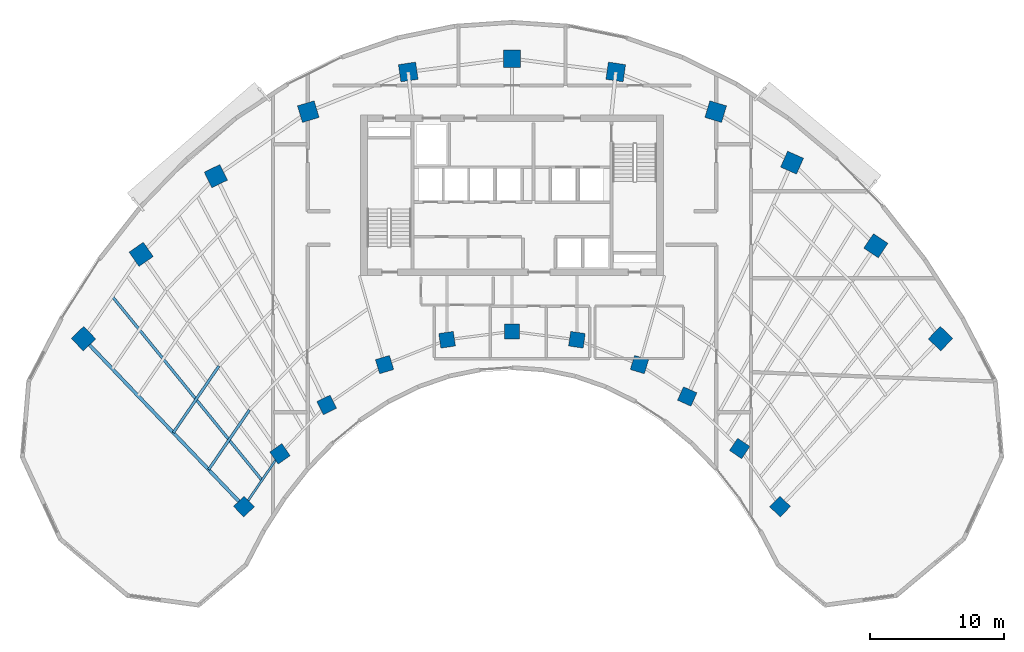
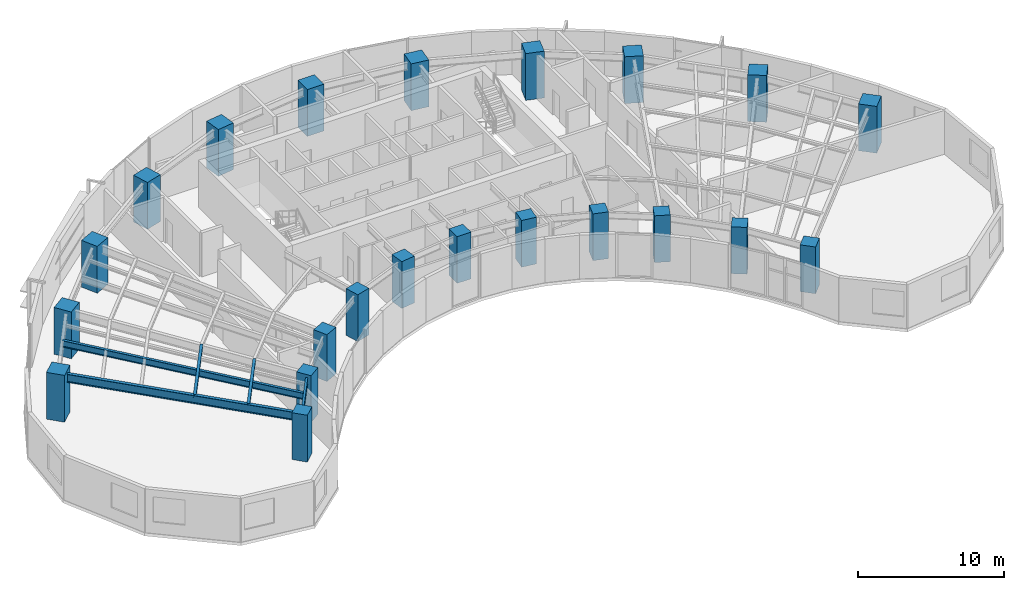
# One storey, part 1 of 14: 22 columns, 5 beams.
"""IFC4 building model written with IfcOpenShell, lengths in metres."""

from ifc_helpers import new_model, si_unit, direction, frame, origin, origin_2d, place, context, subcontext, project, spatial, rectangle, i_section, extrude, source, transform, mapped, material, material_profile, profile_set, type_object, type_shapes, element, save


model = new_model("IFC4")

# Units and contexts
model_context = context("Model", 3, precision=1e-05, world=origin(), true_north=direction((0.0, 1.0)))
body_context = subcontext(model_context, "Body", "Model", "MODEL_VIEW")
ifc_project = project(units=[si_unit("LENGTHUNIT", "METRE"), si_unit("AREAUNIT", "SQUARE_METRE"), si_unit("VOLUMEUNIT", "CUBIC_METRE"), si_unit("PLANEANGLEUNIT", "RADIAN"), si_unit("MASSUNIT", "GRAM", prefix="KILO")], contexts=[model_context])

# Site, building, storey
site_placement = place(None, origin())
site = spatial("IfcSite", under=ifc_project, at=site_placement, CompositionType="ELEMENT")
building_placement = place(site_placement, origin())
building = spatial("IfcBuilding", under=site, at=building_placement, Name="Breltana Convention Tower", CompositionType="ELEMENT")
storey_placement = place(building_placement, frame((0.0, 0.0, 123.300048828125)))
storey = spatial("IfcBuildingStorey", under=building, at=storey_placement, Name="L29", CompositionType="ELEMENT", Elevation=123.300048828125)

# Columns
ifc_material_1 = material(Name="Concrete C60/75", Category="concrete")
ifc_material_profile_1 = material_profile(ifc_material_1, rectangle(XDim=1.10009765625, YDim=1.10009765625, at=origin_2d()), Name="RC-COL-1100X1100")
ifc_profile_set_1 = profile_set([ifc_material_profile_1], Name="Concrete C60/75")
column_type_1 = type_object("IfcColumnType", Name="COL-RC-1100", PredefinedType="COLUMN", material=ifc_profile_set_1)
shared_shape_1 = source(origin(), body_context, "Body", "SweptSolid", [
    extrude(rectangle(XDim=1.10009765625, YDim=1.10009765625, at=origin_2d()), origin(), (0.0, 0.0, 1.0), 3.89990234375),
])
for number, where, z_axis, x_axis, name in (
    (1, (27.984619140625, 42.95458984375, 0.0), (0.0, 0.0, 1.0), (-0.690756218984, 0.723087716626, 0.0), "L29 Tower Column R01-IN"),
    (2, (30.67724609375, 46.892333984375, 0.0), (0.0, 0.0, 1.0), (-0.571143442153, 0.820850271661, 0.0), "L29 Tower Column R02-IN"),
    (3, (34.166259765625, 50.544921875, 0.0), (0.0, 0.0, 1.0), (-0.436173672171, 0.899862504889, 0.0), "L29 Tower Column R03-IN"),
    (4, (38.485107421875, 53.5576171875, 0.0), (0.0, 0.0, 1.0), (-0.288697611798, 0.957420330337, 0.0), "L29 Tower Column R04-IN"),
    (5, (43.153564453125, 55.41064453125, 0.0), (0.0, 0.0, 1.0), (-0.143492621991, 0.98965138682, 0.0), "L29 Tower Column R05-IN"),
    (6, (48.0, 56.035888671875, 0.0), (0.0, 0.0, 1.0), (0.0, 1.0, 0.0), "L29 Tower Column R06-IN"),
    (7, (52.846435546875, 55.41064453125, 0.0), (0.0, 0.0, 1.0), (0.143492621991, 0.98965138682, 0.0), "L29 Tower Column R07-IN"),
    (8, (57.514892578125, 53.5576171875, 0.0), (0.0, 0.0, 1.0), (0.288697611798, 0.957420330337, 0.0), "L29 Tower Column R08-IN"),
    (9, (61.08203125, 51.174560546875, 0.0), (0.0, 0.0, 1.0), (0.409126902895, 0.912477494148, 0.0), "L29 Tower Column R09-IN"),
    (10, (64.995849609375, 47.293701171875, 0.0), (0.0, 0.0, 1.0), (0.55774510898, 0.830012285095, 0.0), "L29 Tower Column R10-IN"),
    (11, (68.015380859375, 42.95458984375, 0.0), (0.0, 0.0, 1.0), (0.690756218984, 0.723087716626, 0.0), "L29 Tower Column R11-IN"),
):
    element("IfcColumn", number, at=place(storey_placement, frame(where, z_axis=z_axis, x_axis=x_axis)), inside=storey, type_object=column_type_1, Name=name, PredefinedType="COLUMN", context=body_context, shape_type="MappedRepresentation", body=[
        mapped(shared_shape_1, transform((0.0, 0.0, 0.0), scale=1.0)),
    ])
ifc_material_profile_2 = material_profile(ifc_material_1, rectangle(XDim=1.300048828125, YDim=1.300048828125, at=origin_2d()), Name="RC-COL-1300X1300")
ifc_profile_set_2 = profile_set([ifc_material_profile_2], Name="Concrete C60/75")
column_type_2 = type_object("IfcColumnType", Name="COL-RC-1300", PredefinedType="COLUMN", material=ifc_profile_set_2)
shared_shape_2 = source(origin(), body_context, "Body", "SweptSolid", [
    extrude(rectangle(XDim=1.300048828125, YDim=1.300048828125, at=origin_2d()), origin(), (0.0, 0.0, 1.0), 3.89990234375),
])
for number, where, z_axis, x_axis, name in (
    (12, (16.0068359375, 55.494384765625, 0.0), (0.0, 0.0, 1.0), (-0.690756218984, 0.723087716626, 0.0), "L29 Tower Column R01-OUT"),
    (13, (20.310791015625, 61.78857421875, 0.0), (0.0, 0.0, 1.0), (-0.571143442153, 0.820850271661, 0.0), "L29 Tower Column R02-OUT"),
    (14, (25.8876953125, 67.626953125, 0.0), (0.0, 0.0, 1.0), (-0.436173672171, 0.899862504889, 0.0), "L29 Tower Column R03-OUT"),
    (15, (32.791015625, 72.4423828125, 0.0), (0.0, 0.0, 1.0), (-0.288697611798, 0.957420330337, 0.0), "L29 Tower Column R04-OUT"),
    (16, (40.253173828125, 75.404296875, 0.0), (0.0, 0.0, 1.0), (-0.143492621991, 0.98965138682, 0.0), "L29 Tower Column R05-OUT"),
    (17, (48.0, 76.404052734375, 0.0), (0.0, 0.0, 1.0), (0.0, 1.0, 0.0), "L29 Tower Column R06-OUT"),
    (18, (55.746826171875, 75.404296875, 0.0), (0.0, 0.0, 1.0), (0.143492621991, 0.98965138682, 0.0), "L29 Tower Column R07-OUT"),
    (19, (63.208984375, 72.4423828125, 0.0), (0.0, 0.0, 1.0), (0.288697611798, 0.957420330337, 0.0), "L29 Tower Column R08-OUT"),
    (20, (68.910400390625, 68.63330078125, 0.0), (0.0, 0.0, 1.0), (0.409126902895, 0.912477494148, 0.0), "L29 Tower Column R09-OUT"),
    (21, (75.166748046875, 62.43017578125, 0.0), (0.0, 0.0, 1.0), (0.55774510898, 0.830012285095, 0.0), "L29 Tower Column R10-OUT"),
    (22, (79.9931640625, 55.494384765625, 0.0), (0.0, 0.0, 1.0), (0.690756218984, 0.723087716626, 0.0), "L29 Tower Column R11-OUT"),
):
    element("IfcColumn", number, at=place(storey_placement, frame(where, z_axis=z_axis, x_axis=x_axis)), inside=storey, type_object=column_type_2, Name=name, PredefinedType="COLUMN", context=body_context, shape_type="MappedRepresentation", body=[
        mapped(shared_shape_2, transform((0.0, 0.0, 0.0), scale=1.0)),
    ])

# Beams
ifc_material_2 = material(Name="Steel ASTM A992 Grade 50", Category="steel")
ifc_material_profile_3 = material_profile(ifc_material_2, i_section(OverallWidth=0.25390625, OverallDepth=0.68798828125, WebThickness=0.01318359375, FlangeThickness=0.02099609375, at=origin_2d()), Name="W27X102")
ifc_profile_set_3 = profile_set([ifc_material_profile_3], Name="Steel ASTM A992 Grade 50")
beam_type_1 = type_object("IfcBeamType", Name="BM-RG-W27X102", PredefinedType="USERDEFINED", material=ifc_profile_set_3)
shared_shape_3 = source(origin(), body_context, "Body", "SweptSolid", [
    extrude(i_section(OverallWidth=0.25390625, OverallDepth=0.68798828125, WebThickness=0.01318359375, FlangeThickness=0.02099609375, at=origin_2d()), origin(), (0.0, 0.0, 1.0), 17.341064453125),
])
type_shapes(beam_type_1, [shared_shape_3])
beam_1_placement = place(storey_placement, frame((27.984619140625, 42.95458984375, 3.305908203125), z_axis=(-0.690716462293, 0.723125693581, 0.0), x_axis=(-0.723125693581, -0.690716462293, 0.0)))
element("IfcBeam", 23, at=beam_1_placement, inside=storey, type_object=beam_type_1, Name="L29 Radial Floor Girder R01", ObjectType="GIRDER", PredefinedType="USERDEFINED", context=body_context, shape_type="MappedRepresentation", body=[
    mapped(shared_shape_3, transform((0.0, 0.0, 0.0), scale=1.0)),
])
ifc_material_profile_4 = material_profile(ifc_material_2, i_section(OverallWidth=0.166015625, OverallDepth=0.534912109375, WebThickness=0.01025390625, FlangeThickness=0.0166015625, at=origin_2d()), Name="W21X57")
ifc_profile_set_4 = profile_set([ifc_material_profile_4], Name="Steel ASTM A992 Grade 50")
beam_type_2 = type_object("IfcBeamType", Name="BM-BM-W21X57", PredefinedType="BEAM", material=ifc_profile_set_4)
shared_shape_4 = source(origin(), body_context, "Body", "SweptSolid", [
    extrude(i_section(OverallWidth=0.166015625, OverallDepth=0.534912109375, WebThickness=0.01025390625, FlangeThickness=0.0166015625, at=origin_2d()), origin(), (0.0, 0.0, 1.0), 4.770263671875),
])
beam_2_placement = place(storey_placement, frame((27.984619140625, 42.95458984375, 3.382568359375), z_axis=(0.564452719055, 0.82546540082, 0.0), x_axis=(-0.82546540082, 0.564452719055, 0.0)))
element("IfcBeam", 24, at=beam_2_placement, inside=storey, type_object=beam_type_2, Name="L29 Inner Ring Beam 01", PredefinedType="BEAM", context=body_context, shape_type="MappedRepresentation", body=[
    mapped(shared_shape_4, transform((0.0, 0.0, 0.0), scale=1.0)),
])
ifc_material_profile_5 = material_profile(ifc_material_2, i_section(OverallWidth=0.201904296875, OverallDepth=0.2470703125, WebThickness=0.00732421875, FlangeThickness=0.010986328125, at=origin_2d()), Name="W10X33")
ifc_profile_set_5 = profile_set([ifc_material_profile_5], Name="Steel ASTM A992 Grade 50")
beam_type_3 = type_object("IfcBeamType", Name="BM-JSG-11", PredefinedType="JOIST", material=ifc_profile_set_5)
shared_shape_5 = source(origin(), body_context, "Body", "SweptSolid", [
    extrude(i_section(OverallWidth=0.201904296875, OverallDepth=0.2470703125, WebThickness=0.00732421875, FlangeThickness=0.010986328125, at=origin_2d()), origin(), (0.0, 0.0, 1.0), 5.3984375),
])
beam_3_placement = place(storey_placement, frame((25.349365234375, 45.71337890625, 3.5263671875), z_axis=(0.564440705434, 0.825473615599, 0.0), x_axis=(-0.825473615599, 0.564440705434, 0.0)))
element("IfcBeam", 25, at=beam_3_placement, inside=storey, type_object=beam_type_3, Name="L29 Composite Floor Joist 01.1", PredefinedType="JOIST", context=body_context, shape_type="MappedRepresentation", body=[
    mapped(shared_shape_5, transform((0.0, 0.0, 0.0), scale=1.0)),
])
shared_shape_6 = source(origin(), body_context, "Body", "SweptSolid", [
    extrude(i_section(OverallWidth=0.201904296875, OverallDepth=0.2470703125, WebThickness=0.00732421875, FlangeThickness=0.010986328125, at=origin_2d()), origin(), (0.0, 0.0, 1.0), 6.0263671875),
])
beam_4_placement = place(storey_placement, frame((22.71435546875, 48.47216796875, 3.5263671875), z_axis=(0.564450071397, 0.825467211281, 0.0), x_axis=(-0.825467211281, 0.564450071397, 0.0)))
element("IfcBeam", 26, at=beam_4_placement, inside=storey, type_object=beam_type_3, Name="L29 Composite Floor Joist 01.2", PredefinedType="JOIST", context=body_context, shape_type="MappedRepresentation", body=[
    mapped(shared_shape_6, transform((0.0, 0.0, 0.0), scale=1.0)),
])
ifc_material_profile_6 = material_profile(ifc_material_2, i_section(OverallWidth=0.2099609375, OverallDepth=0.537109375, WebThickness=0.010986328125, FlangeThickness=0.017333984375, at=origin_2d()), Name="W21X68")
ifc_profile_set_6 = profile_set([ifc_material_profile_6], Name="Steel ASTM A992 Grade 50")
beam_type_4 = type_object("IfcBeamType", Name="BM-JSG-04", PredefinedType="JOIST", material=ifc_profile_set_6)
shared_shape_7 = source(origin(), body_context, "Body", "SweptSolid", [
    extrude(i_section(OverallWidth=0.2099609375, OverallDepth=0.537109375, WebThickness=0.010986328125, FlangeThickness=0.017333984375, at=origin_2d()), origin(), (0.0, 0.0, 1.0), 17.691650390625),
])
beam_5_placement = place(storey_placement, frame((29.330810546875, 44.923583984375, 3.38134765625), z_axis=(-0.631476958478, 0.775394642044, 0.0), x_axis=(-0.775394642044, -0.631476958478, 0.0)))
element("IfcBeam", 27, at=beam_5_placement, inside=storey, type_object=beam_type_4, Name="L29 Mid-Bay Radial Trimmer 01", PredefinedType="JOIST", context=body_context, shape_type="MappedRepresentation", body=[
    mapped(shared_shape_7, transform((0.0, 0.0, 0.0), scale=1.0)),
])

save(model, "model.ifc")
